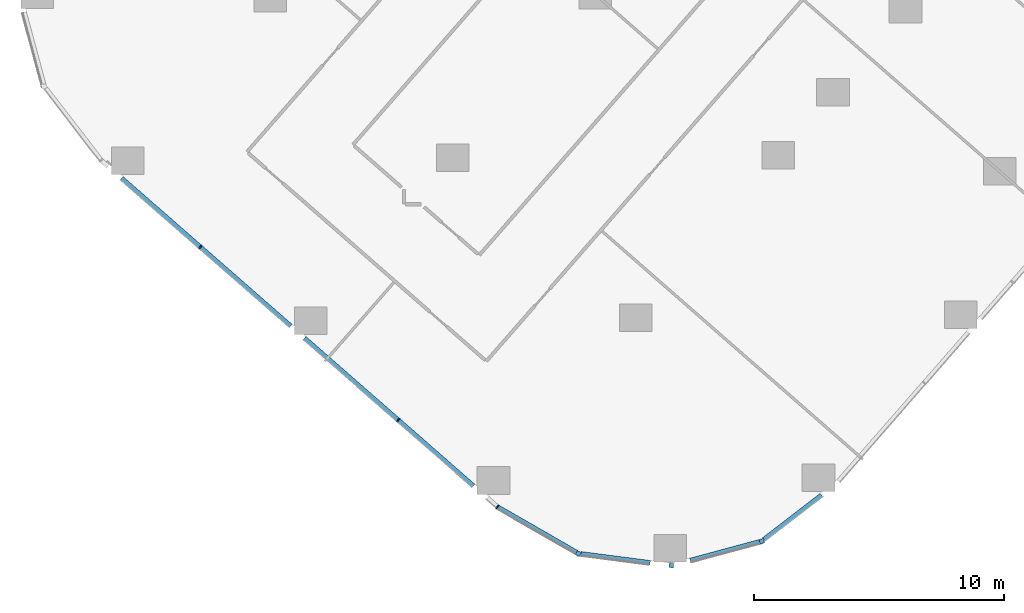
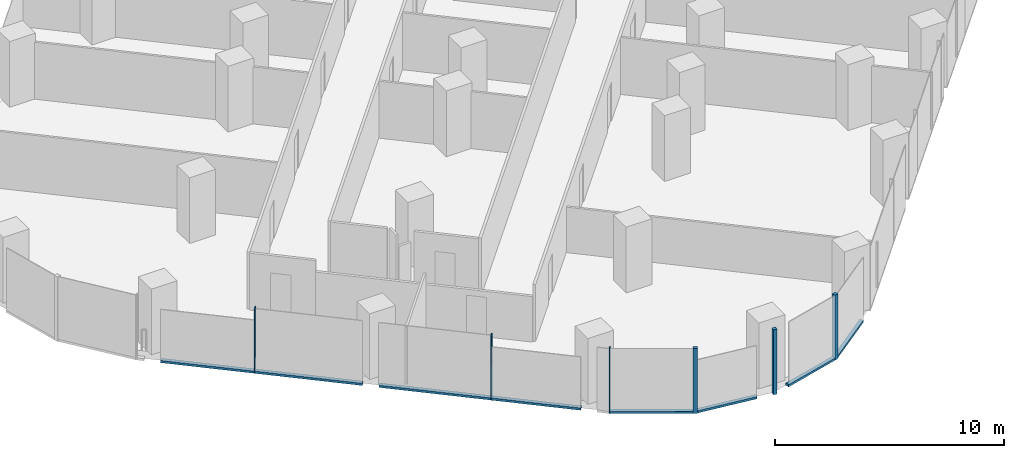
# One storey, part 2 of 38: 12 members, 5 elements without a shape of their own.
"""IFC4 building model written with IfcOpenShell, lengths in metres."""

import ifcopenshell
import ifcopenshell.guid

model = None  # the IFC model being written
_history = None  # IfcOwnerHistory: only IFC2X3 demands one
_inside = {}  # id of a spatial element -> (the spatial element, [elements in it])
_under = {}  # id of a project, library or spatial element -> (it, [spatial elements below it])
_declared = {}  # id of a project -> (the project, [libraries it declares])
_typed = {}  # id of a type object -> (the type object, [elements of that type])
_made_of = {}  # id of a material, layer set ... -> (it, [elements and type objects made of it])


def new_model(schema):
    """Start an empty IFC model of exactly this schema.

    Asked for "IFC4X3", IfcOpenShell would pick the latest addendum, in which some entities
    have other attributes; the version numbers below select the first issue.
    IFC2X3 requires an IfcOwnerHistory on every rooted entity: one is made here for all.
    """
    global model, _history
    if schema == "IFC4X3":
        model = ifcopenshell.file(schema_version=(4, 3, 0, 0))
    else:
        model = ifcopenshell.file(schema=schema)
    _inside.clear()
    _under.clear()
    _declared.clear()
    _typed.clear()
    _made_of.clear()
    _history = None
    if model.schema == "IFC2X3":
        org = make("IfcOrganization", Name="unknown")
        user = make(
            "IfcPersonAndOrganization",
            ThePerson=make("IfcPerson", FamilyName="unknown"),
            TheOrganization=org,
        )
        app = make(
            "IfcApplication",
            ApplicationDeveloper=org,
            Version="unknown",
            ApplicationFullName="unknown",
            ApplicationIdentifier="unknown",
        )
        _history = make(
            "IfcOwnerHistory",
            OwningUser=user,
            OwningApplication=app,
            ChangeAction="ADDED",
            CreationDate=0,
        )
    return model


def make(cls, **values):
    """One entity of the class cls with the attributes given. An attribute that is None is left unset."""
    return model.create_entity(
        cls, **{name: value for name, value in values.items() if value is not None}
    )


def rooted(cls, **values):
    """An entity with a GlobalId (a new one), such as an element, a storey or a relation."""
    return make(cls, GlobalId=ifcopenshell.guid.new(), OwnerHistory=_history, **values)


def si_unit(unit_type, name, prefix=None):
    """IfcSIUnit, for example si_unit("LENGTHUNIT", "METRE", prefix="MILLI")."""
    return make("IfcSIUnit", UnitType=unit_type, Prefix=prefix, Name=name)


def assignment(units):
    """IfcUnitAssignment: the units of a project."""
    return None if units is None else make("IfcUnitAssignment", Units=units)


def point(xyz):
    """IfcCartesianPoint."""
    return None if xyz is None else make("IfcCartesianPoint", Coordinates=xyz)


def direction(xyz):
    """IfcDirection."""
    return None if xyz is None else make("IfcDirection", DirectionRatios=xyz)


def frame(location, z_axis=None, x_axis=None):
    """IfcAxis2Placement3D, a coordinate frame: its origin and axes. An axis left out is left unset."""
    return make(
        "IfcAxis2Placement3D",
        Location=point(location),
        Axis=direction(z_axis),
        RefDirection=direction(x_axis),
    )


def frame_2d(location, x_axis=None):
    """IfcAxis2Placement2D, a coordinate frame in the plane: its origin and x axis."""
    return make(
        "IfcAxis2Placement2D", Location=point(location), RefDirection=direction(x_axis)
    )


def origin():
    """The frame at (0, 0, 0) with its axes left unset."""
    return frame((0.0, 0.0, 0.0))


def origin_2d():
    """The frame at (0, 0) in the plane with its x axis left unset."""
    return frame_2d((0.0, 0.0))


def place(relative_to, where):
    """IfcLocalPlacement: puts the frame where relative to a parent placement (None: the world)."""
    return make(
        "IfcLocalPlacement", PlacementRelTo=relative_to, RelativePlacement=where
    )


def context(
    kind, dimensions, precision=None, world=None, true_north=None, identifier=None
):
    """IfcGeometricRepresentationContext, for example the 3D "Model" context."""
    return make(
        "IfcGeometricRepresentationContext",
        ContextIdentifier=identifier,
        ContextType=kind,
        CoordinateSpaceDimension=dimensions,
        Precision=precision,
        WorldCoordinateSystem=world,
        TrueNorth=true_north,
    )


def subcontext(parent, identifier, kind, view, scale=None):
    """IfcGeometricRepresentationSubContext, for example "Body" below "Model"."""
    return make(
        "IfcGeometricRepresentationSubContext",
        ContextIdentifier=identifier,
        ContextType=kind,
        ParentContext=parent,
        TargetScale=scale,
        TargetView=view,
    )


def project(units=None, contexts=None):
    """IfcProject with its units and contexts."""
    return rooted(
        "IfcProject",
        Name="project",
        RepresentationContexts=contexts,
        UnitsInContext=assignment(units),
    )


def spatial(cls, under=None, at=None, **own):
    """A site, building, storey or space (cls), placed at a placement, below another one or the project."""
    s = rooted(cls, ObjectPlacement=at, **own)
    if under is not None:
        _under.setdefault(under.id(), (under, []))[1].append(s)
    return s


def profile(cls, at=None, kind="AREA", **sizes):
    """A parametric profile (cls). Its sizes go by their IFC names, for example OverallWidth=200.0."""
    return make(cls, ProfileType=kind, Position=at, **sizes)


def rectangle(**sizes):
    """IfcRectangleProfileDef."""
    return profile("IfcRectangleProfileDef", **sizes)


def extrude(swept, where, along, depth):
    """IfcExtrudedAreaSolid: the profile swept, set in the frame where, extruded along a direction by depth."""
    return make(
        "IfcExtrudedAreaSolid",
        SweptArea=swept,
        Position=where,
        ExtrudedDirection=direction(along),
        Depth=depth,
    )


def shape(context_of_items, identifier, shape_type, items):
    """IfcShapeRepresentation: the items that make up one representation, for example the "Body"."""
    return make(
        "IfcShapeRepresentation",
        ContextOfItems=context_of_items,
        RepresentationIdentifier=identifier,
        RepresentationType=shape_type,
        Items=items,
    )


def material(Name=None, Category=None):
    """IfcMaterial."""
    return make("IfcMaterial", Name=Name, Category=Category)


def material_profile(
    of_material, cross_section, Name=None, Category=None, Priority=None
):
    """IfcMaterialProfile: a cross section and its material."""
    return make(
        "IfcMaterialProfile",
        Name=Name,
        Material=of_material,
        Profile=cross_section,
        Priority=Priority,
        Category=Category,
    )


def profile_set(profiles, Name=None, composite=None):
    """IfcMaterialProfileSet."""
    return make(
        "IfcMaterialProfileSet",
        Name=Name,
        MaterialProfiles=profiles,
        CompositeProfile=composite,
    )


def made_of(thing, what):
    """Note that an element or type object is made of a material, layer set ...; save() writes the relation."""
    if what is not None:
        _made_of.setdefault(what.id(), (what, []))[1].append(thing)
    return thing


def type_object(cls, material=None, **own):
    """A type object (cls), such as IfcWallType, which elements share."""
    return made_of(rooted(cls, **own), material)


def element(
    cls,
    number,
    at=None,
    inside=None,
    cuts=None,
    type_object=None,
    material=None,
    context=None,
    identifier="Body",
    shape_type=None,
    held_by="IfcProductDefinitionShape",
    body=None,
    shapes=None,
    **own,
):
    """One element of the class cls, such as IfcWall. Its Tag is "e" and its number.

    at: its placement. inside: the storey or other place that contains it. cuts: it is an
    opening in that element (IfcRelVoidsElement). A single representation is given by context,
    identifier, shape_type and body (its items); several are given by shapes. held_by: the class
    of the entity that holds the representations. save() writes the other relations.
    """
    e = rooted(cls, Tag="e%d" % number, ObjectPlacement=at, **own)
    if body is not None:
        shapes = [shape(context, identifier, shape_type, body)]
    if shapes is not None:
        e.Representation = make(held_by, Representations=shapes)
    if inside is not None:
        _inside.setdefault(inside.id(), (inside, []))[1].append(e)
    if cuts is not None:
        rooted(
            "IfcRelVoidsElement", RelatingBuildingElement=cuts, RelatedOpeningElement=e
        )
    if type_object is not None:
        _typed.setdefault(type_object.id(), (type_object, []))[1].append(e)
    return made_of(e, material)


def aggregate(whole, parts):
    """IfcRelAggregates: a whole, such as a stair, and the parts it consists of."""
    return rooted("IfcRelAggregates", RelatingObject=whole, RelatedObjects=parts)


def save(model, path):
    """Write the relations noted so far, then the file.

    IfcRelAggregates (storeys below a building ...), IfcRelContainedInSpatialStructure (elements
    in a storey), IfcRelDefinesByType, IfcRelAssociatesMaterial and IfcRelDeclares: one each for
    every whole, place, type object, material and project.
    """
    for whole, parts in _under.values():
        aggregate(whole, parts)
    for where, things in _inside.values():
        rooted(
            "IfcRelContainedInSpatialStructure",
            RelatedElements=things,
            RelatingStructure=where,
        )
    for kind, things in _typed.values():
        rooted("IfcRelDefinesByType", RelatedObjects=things, RelatingType=kind)
    for what, things in _made_of.values():
        rooted("IfcRelAssociatesMaterial", RelatedObjects=things, RelatingMaterial=what)
    for by, libraries in _declared.values():
        rooted("IfcRelDeclares", RelatingContext=by, RelatedDefinitions=libraries)
    model.write(path)


model = new_model("IFC4")

# Units and contexts
model_context = context("Model", 3, precision=1e-05, world=origin(), true_north=direction((0.0, 1.0)))
body_context = subcontext(model_context, "Body", "Model", "MODEL_VIEW")
ifc_project = project(units=[si_unit("LENGTHUNIT", "METRE"), si_unit("AREAUNIT", "SQUARE_METRE"), si_unit("VOLUMEUNIT", "CUBIC_METRE"), si_unit("PLANEANGLEUNIT", "RADIAN"), si_unit("MASSUNIT", "GRAM", prefix="KILO")], contexts=[model_context])

# Site, building, storey
site_placement = place(None, origin())
site = spatial("IfcSite", under=ifc_project, at=site_placement, CompositionType="ELEMENT")
building_placement = place(site_placement, origin())
building = spatial("IfcBuilding", under=site, at=building_placement, Name="Orlundy Tower", CompositionType="ELEMENT")
storey_placement = place(building_placement, frame((0.0, 0.0, 72.800048828125)))
storey = spatial("IfcBuildingStorey", under=building, at=storey_placement, Name="L17", CompositionType="ELEMENT", Elevation=72.800048828125)

# Curtain wall, member
ifc_material_1 = material(Name="Aluminium bronze anodised", Category="aluminium")
curtain_wall_type = type_object("IfcCurtainWallType", Name="CW1 wall", PredefinedType="NOTDEFINED", material=ifc_material_1)
curtain_wall_1_placement = place(storey_placement, origin())
curtain_wall_1 = element("IfcCurtainWall", 1, at=curtain_wall_1_placement, inside=storey, type_object=curtain_wall_type, Name="CW1 run 04", PredefinedType="NOTDEFINED")
ifc_material_2 = material(Name="Aluminium bronze anodised", Category="aluminium")
ifc_material_profile_1 = material_profile(ifc_material_2, rectangle(XDim=0.179931640625, YDim=0.179931640625, at=origin_2d()), Name="CW1 corner post 180x180")
ifc_profile_set_1 = profile_set([ifc_material_profile_1], Name="Aluminium bronze anodised")
member_type_1 = type_object("IfcMemberType", Name="CW1 corner post 180x180", PredefinedType="MULLION", material=ifc_profile_set_1)
member_1_placement = place(storey_placement, frame((-20.753173828125, -53.148193359375, -0.400146484375), z_axis=(0.0, 0.0, 1.0), x_axis=(0.26007990033, -0.965587098839, 0.0)))
member_1 = element("IfcMember", 2, at=member_1_placement, type_object=member_type_1, Name="CW1 mullion 15", PredefinedType="MULLION", context=body_context, shape_type="SweptSolid", body=[
    extrude(rectangle(XDim=0.179931640625, YDim=0.179931640625, at=origin_2d()), origin(), (0.0, 0.0, 1.0), 3.4501953125),
])

curtain_wall_2_placement = place(storey_placement, origin())
curtain_wall_2 = element("IfcCurtainWall", 3, at=curtain_wall_2_placement, inside=storey, type_object=curtain_wall_type, Name="CW1 run 05", PredefinedType="NOTDEFINED")
member_2_placement = place(storey_placement, frame((-24.366943359375, -54.12158203125, -0.400146484375), z_axis=(0.0, 0.0, 1.0), x_axis=(-0.128947063839, -0.991651478458, 0.0)))
member_2 = element("IfcMember", 4, at=member_2_placement, type_object=member_type_1, Name="CW1 mullion 16", PredefinedType="MULLION", context=body_context, shape_type="SweptSolid", body=[
    extrude(rectangle(XDim=0.179931640625, YDim=0.179931640625, at=origin_2d()), origin(), (0.0, 0.0, 1.0), 3.4501953125),
])

curtain_wall_3_placement = place(storey_placement, origin())
curtain_wall_3 = element("IfcCurtainWall", 5, at=curtain_wall_3_placement, inside=storey, type_object=curtain_wall_type, Name="CW1 run 06", PredefinedType="NOTDEFINED")
member_3_placement = place(storey_placement, frame((-28.078369140625, -53.638916015625, -0.400146484375), z_axis=(0.0, 0.0, 1.0), x_axis=(-0.498780254844, -0.866728479616, 0.0)))
member_3 = element("IfcMember", 6, at=member_3_placement, type_object=member_type_1, Name="CW1 mullion 17", PredefinedType="MULLION", context=body_context, shape_type="SweptSolid", body=[
    extrude(rectangle(XDim=0.179931640625, YDim=0.179931640625, at=origin_2d()), origin(), (0.0, 0.0, 1.0), 3.4501953125),
])

# Curtain wall, members
curtain_wall_4_placement = place(storey_placement, origin())
curtain_wall_4 = element("IfcCurtainWall", 7, at=curtain_wall_4_placement, inside=storey, type_object=curtain_wall_type, Name="CW1 run 07", PredefinedType="NOTDEFINED")
ifc_material_3 = material(Name="Aluminium bronze anodised", Category="aluminium")
ifc_material_profile_2 = material_profile(ifc_material_3, rectangle(XDim=0.179931640625, YDim=0.050048828125, at=origin_2d()), Name="CW1 mullion 50x180")
ifc_profile_set_2 = profile_set([ifc_material_profile_2], Name="Aluminium bronze anodised")
member_type_2 = type_object("IfcMemberType", Name="CW1 mullion 50x180", PredefinedType="MULLION", material=ifc_profile_set_2)
member_4_placement = place(storey_placement, frame((-31.314453125, -51.776611328125, -0.400146484375), z_axis=(0.0, 0.0, 1.0), x_axis=(-0.581319316021, -0.813675520598, 0.0)))
member_4 = element("IfcMember", 8, at=member_4_placement, type_object=member_type_2, Name="CW1 mullion 18", PredefinedType="MULLION", context=body_context, shape_type="SweptSolid", body=[
    extrude(rectangle(XDim=0.179931640625, YDim=0.050048828125, at=origin_2d()), origin(), (0.0, 0.0, 1.0), 3.4501953125),
])
member_5_placement = place(storey_placement, frame((-35.273193359375, -48.31494140625, -0.400146484375), z_axis=(0.0, 0.0, 1.0), x_axis=(-0.658261834143, -0.752789052597, 0.0)))
member_5 = element("IfcMember", 9, at=member_5_placement, type_object=member_type_2, Name="CW1 mullion 19", PredefinedType="MULLION", context=body_context, shape_type="SweptSolid", body=[
    extrude(rectangle(XDim=0.179931640625, YDim=0.050048828125, at=origin_2d()), origin(), (0.0, 0.0, 1.0), 3.4501953125),
])
member_6_placement = place(storey_placement, frame((-43.17724609375, -41.403564453125, -0.400146484375), z_axis=(0.0, 0.0, 1.0), x_axis=(-0.658261834143, -0.752789052597, 0.0)))
member_6 = element("IfcMember", 10, at=member_6_placement, type_object=member_type_2, Name="CW1 mullion 21", PredefinedType="MULLION", context=body_context, shape_type="SweptSolid", body=[
    extrude(rectangle(XDim=0.179931640625, YDim=0.050048828125, at=origin_2d()), origin(), (0.0, 0.0, 1.0), 3.4501953125),
])

# Curtain wall, member
curtain_wall_5_placement = place(storey_placement, origin())
curtain_wall_5 = element("IfcCurtainWall", 11, at=curtain_wall_5_placement, inside=storey, type_object=curtain_wall_type, Name="CW1 run 03", PredefinedType="NOTDEFINED")
ifc_material_4 = material(Name="Aluminium bronze anodised", Category="aluminium")
ifc_material_profile_3 = material_profile(ifc_material_4, rectangle(XDim=0.179931640625, YDim=0.1201171875, at=origin_2d()), Name="CW1 transom 180x120")
ifc_profile_set_3 = profile_set([ifc_material_profile_3], Name="Aluminium bronze anodised")
member_type_3 = type_object("IfcMemberType", Name="CW1 transom 180x120", PredefinedType="USERDEFINED", material=ifc_profile_set_3)
member_7_placement = place(storey_placement, frame((-18.36279296875, -51.30810546875, -0.340087890625), z_axis=(-0.792400091658, -0.610001716998, 0.0), x_axis=(0.610001716998, -0.792400091658, 0.0)))
member_7 = element("IfcMember", 12, at=member_7_placement, type_object=member_type_3, Name="CW1 transom", ObjectType="TRANSOM", PredefinedType="USERDEFINED", context=body_context, shape_type="SweptSolid", body=[
    extrude(rectangle(XDim=0.179931640625, YDim=0.1201171875, at=origin_2d()), origin(), (0.0, 0.0, 1.0), 2.919189453125),
])
aggregate(curtain_wall_5, [member_7])

# Member
member_8_placement = place(storey_placement, frame((-20.840087890625, -53.171630859375, -0.340087890625), z_axis=(-0.965592771563, -0.260058838546, 0.0), x_axis=(0.260058838546, -0.965592771563, 0.0)))
member_8 = element("IfcMember", 13, at=member_8_placement, type_object=member_type_3, Name="CW1 transom", ObjectType="TRANSOM", PredefinedType="USERDEFINED", context=body_context, shape_type="SweptSolid", body=[
    extrude(rectangle(XDim=0.179931640625, YDim=0.1201171875, at=origin_2d()), origin(), (0.0, 0.0, 1.0), 2.871826171875),
])

aggregate(curtain_wall_1, [member_1, member_8])

member_9_placement = place(storey_placement, frame((-25.212890625, -54.011474609375, -0.340087890625), z_axis=(-0.99165930578, 0.128886854486, 0.0), x_axis=(-0.128886854486, -0.99165930578, 0.0)))
member_9 = element("IfcMember", 14, at=member_9_placement, type_object=member_type_3, Name="CW1 transom", ObjectType="TRANSOM", PredefinedType="USERDEFINED", context=body_context, shape_type="SweptSolid", body=[
    extrude(rectangle(XDim=0.179931640625, YDim=0.1201171875, at=origin_2d()), origin(), (0.0, 0.0, 1.0), 2.7919921875),
])

aggregate(curtain_wall_2, [member_2, member_9])

member_10_placement = place(storey_placement, frame((-28.15625, -53.593994140625, -0.340087890625), z_axis=(-0.866732056117, 0.498774039921, 0.0), x_axis=(-0.498774039921, -0.866732056117, 0.0)))
member_10 = element("IfcMember", 15, at=member_10_placement, type_object=member_type_3, Name="CW1 transom", ObjectType="TRANSOM", PredefinedType="USERDEFINED", context=body_context, shape_type="SweptSolid", body=[
    extrude(rectangle(XDim=0.179931640625, YDim=0.1201171875, at=origin_2d()), origin(), (0.0, 0.0, 1.0), 3.61865234375),
])

aggregate(curtain_wall_3, [member_3, member_10])

member_11_placement = place(storey_placement, frame((-32.26904296875, -50.94189453125, -0.340087890625), z_axis=(-0.752795937468, 0.658253960513, 0.0), x_axis=(-0.658253960513, -0.752795937468, 0.0)))
member_11 = element("IfcMember", 16, at=member_11_placement, type_object=member_type_3, Name="CW1 transom", ObjectType="TRANSOM", PredefinedType="USERDEFINED", context=body_context, shape_type="SweptSolid", body=[
    extrude(rectangle(XDim=0.179931640625, YDim=0.1201171875, at=origin_2d()), origin(), (0.0, 0.0, 1.0), 8.9658203125),
])

member_12_placement = place(storey_placement, frame((-39.571044921875, -44.556884765625, -0.340087890625), z_axis=(-0.752784138466, 0.658267453908, 0.0), x_axis=(-0.658267453908, -0.752784138466, 0.0)))
member_12 = element("IfcMember", 17, at=member_12_placement, type_object=member_type_3, Name="CW1 transom", ObjectType="TRANSOM", PredefinedType="USERDEFINED", context=body_context, shape_type="SweptSolid", body=[
    extrude(rectangle(XDim=0.179931640625, YDim=0.1201171875, at=origin_2d()), origin(), (0.0, 0.0, 1.0), 8.9658203125),
])

aggregate(curtain_wall_4, [member_4, member_5, member_6, member_11, member_12])

save(model, "model.ifc")
